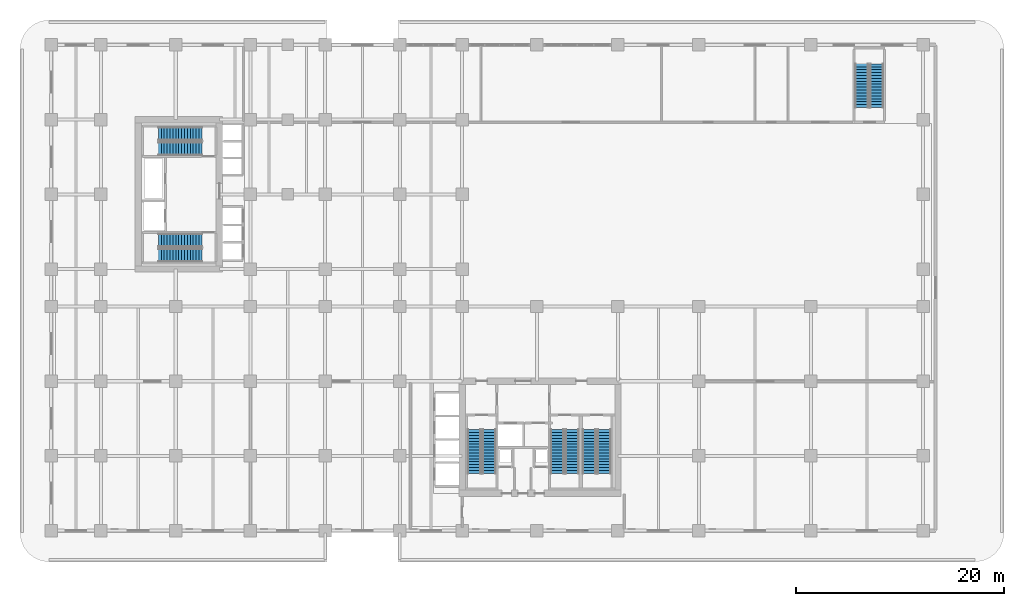
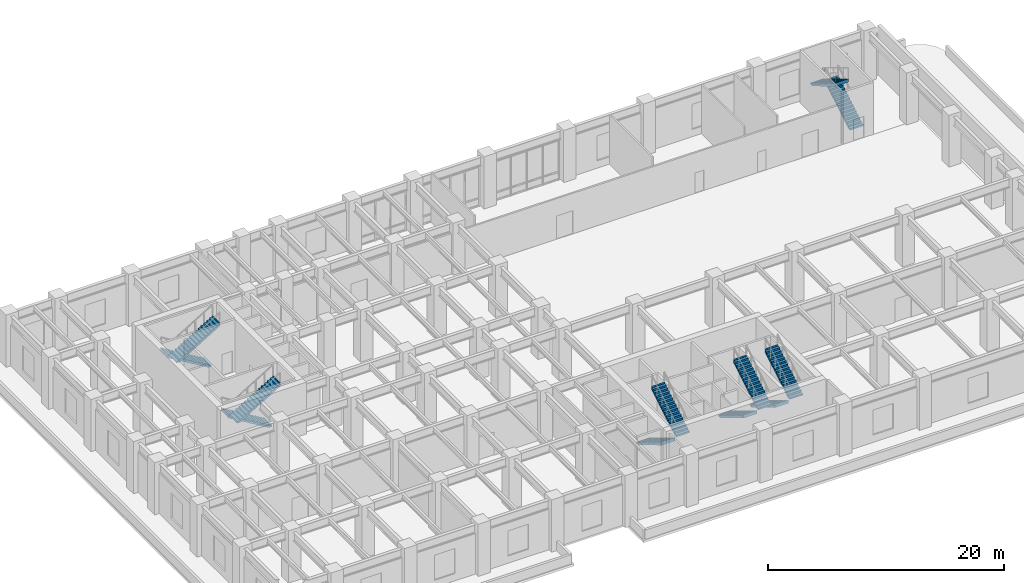
# One storey, part 15 of 20: 12 stair flights, 6 elements without a shape of their own.
"""IFC4 building model written with IfcOpenShell, lengths in metres."""

from ifc_helpers import new_model, si_unit, derived_unit, direction, frame, origin, place, context, subcontext, project, spatial, polyline, outline, extrude, source, transform, mapped, material, layer, layer_set, type_object, element, aggregate, save


model = new_model("IFC4")

# Units and contexts
model_context = context("Model", 3, precision=1e-05, world=origin(), true_north=direction((0.0, 1.0)))
body_context = subcontext(model_context, "Body", "Model", "MODEL_VIEW")
ifc_project = project(units=[si_unit("LENGTHUNIT", "METRE"), si_unit("AREAUNIT", "SQUARE_METRE"), si_unit("VOLUMEUNIT", "CUBIC_METRE"), si_unit("PLANEANGLEUNIT", "RADIAN"), si_unit("MASSUNIT", "GRAM", prefix="KILO"), si_unit("THERMODYNAMICTEMPERATUREUNIT", "KELVIN"), si_unit("POWERUNIT", "WATT"), derived_unit("THERMALTRANSMITTANCEUNIT", [(si_unit("POWERUNIT", "WATT"), 1), (si_unit("AREAUNIT", "SQUARE_METRE"), -1), (si_unit("THERMODYNAMICTEMPERATUREUNIT", "KELVIN"), -1)])], contexts=[model_context])

# Site, building, storey
site_placement = place(None, origin())
site = spatial("IfcSite", under=ifc_project, at=site_placement, CompositionType="ELEMENT")
building_placement = place(site_placement, origin())
building = spatial("IfcBuilding", under=site, at=building_placement, Name="Zahravan Archway Hotel and Residences", CompositionType="ELEMENT")
storey_placement = place(building_placement, frame((0.0, 0.0, 16.199951171875)))
storey = spatial("IfcBuildingStorey", under=building, at=storey_placement, Name="L03", CompositionType="ELEMENT", Elevation=16.199951171875)

# Stair, stair flights
ifc_material = material(Name="Concrete C50/60", Category="concrete")
stair_type = type_object("IfcStairType", Name="STR-CORE-1300", PredefinedType="HALF_TURN_STAIR", material=ifc_material)
stair_1_placement = place(storey_placement, origin())
stair_1 = element("IfcStair", 1, at=stair_1_placement, inside=storey, type_object=stair_type, Name="L03 Core A Exit Stair 1", PredefinedType="HALF_TURN_STAIR")
ifc_layer = layer(ifc_material, 0.199951171875, Name="Concrete C50/60", Category="concrete")
ifc_layer_set = layer_set([ifc_layer], Name="Concrete C50/60")
stair_flight_type = type_object("IfcStairFlightType", Name="SFL-CORE-1300", PredefinedType="STRAIGHT", material=ifc_layer_set)
shared_shape = source(origin(), body_context, "Body", "SweptSolid", [
    extrude(outline(polyline([(-0.01611328125, 0.0), (-0.01611328125, 0.168701171875), (0.280029296875, 0.168701171875), (0.280029296875, 0.33740234375), (0.56005859375, 0.33740234375), (0.56005859375, 0.50634765625), (0.840087890625, 0.50634765625), (0.840087890625, 0.675048828125), (1.1201171875, 0.675048828125), (1.1201171875, 0.84375), (1.39990234375, 0.84375), (1.39990234375, 1.012451171875), (1.679931640625, 1.012451171875), (1.679931640625, 1.18115234375), (1.9599609375, 1.18115234375), (1.9599609375, 1.35009765625), (2.239990234375, 1.35009765625), (2.239990234375, 1.518798828125), (2.52001953125, 1.518798828125), (2.52001953125, 1.6875), (2.800048828125, 1.6875), (2.800048828125, 1.856201171875), (3.080078125, 1.856201171875), (3.080078125, 2.02490234375), (3.360107421875, 2.02490234375), (3.360107421875, 2.19384765625), (3.639892578125, 2.19384765625), (3.639892578125, 2.362548828125), (3.919921875, 2.362548828125), (3.919921875, 2.53125), (4.199951171875, 2.53125), (4.199951171875, 2.699951171875), (4.216064453125, 2.699951171875), (4.216064453125, 2.356201171875), (0.29052734375, 0.0), (-0.01611328125, 0.0)])), frame((0.0, 0.64990234375, 0.0), z_axis=(0.0, -1.0, 0.0), x_axis=(1.0, 0.0, 0.0)), (0.0, 0.0, 1.0), 1.300048828125),
])
stair_flight_1_placement = place(storey_placement, frame((35.949951171875, 9.72998046875, 0.0), z_axis=(0.0, 0.0, 1.0), x_axis=(0.0, -1.0, 0.0)))
stair_flight_1 = element("IfcStairFlight", 2, at=stair_flight_1_placement, type_object=stair_flight_type, Name="ST-A1 flight 1", NumberOfRisers=16, NumberOfTreads=15, PredefinedType="STRAIGHT", RiserHeight=0.16875, TreadLength=0.28, context=body_context, shape_type="MappedRepresentation", body=[
    mapped(shared_shape, transform((0.0, 0.0, 0.0), scale=1.0)),
])
stair_flight_2_placement = place(storey_placement, frame((37.389892578125, 5.530029296875, 2.699951171875), z_axis=(0.0, 0.0, 1.0), x_axis=(0.0, 1.0, 0.0)))
stair_flight_2 = element("IfcStairFlight", 3, at=stair_flight_2_placement, type_object=stair_flight_type, Name="ST-A1 flight 2", NumberOfRisers=16, NumberOfTreads=15, PredefinedType="STRAIGHT", RiserHeight=0.16875, TreadLength=0.28, context=body_context, shape_type="MappedRepresentation", body=[
    mapped(shared_shape, transform((0.0, 0.0, 0.0), scale=1.0)),
])
aggregate(stair_1, [stair_flight_1, stair_flight_2])

stair_2_placement = place(storey_placement, origin())
stair_2 = element("IfcStair", 4, at=stair_2_placement, inside=storey, type_object=stair_type, Name="L03 Core A Exit Stair 2", PredefinedType="HALF_TURN_STAIR")
stair_flight_3_placement = place(storey_placement, frame((43.969970703125, 9.72998046875, 0.0), z_axis=(0.0, 0.0, 1.0), x_axis=(0.0, -1.0, 0.0)))
stair_flight_3 = element("IfcStairFlight", 5, at=stair_flight_3_placement, type_object=stair_flight_type, Name="ST-A2 flight 1", NumberOfRisers=16, NumberOfTreads=15, PredefinedType="STRAIGHT", RiserHeight=0.16875, TreadLength=0.28, context=body_context, shape_type="MappedRepresentation", body=[
    mapped(shared_shape, transform((0.0, 0.0, 0.0), scale=1.0)),
])
stair_flight_4_placement = place(storey_placement, frame((45.409912109375, 5.530029296875, 2.699951171875), z_axis=(0.0, 0.0, 1.0), x_axis=(0.0, 1.0, 0.0)))
stair_flight_4 = element("IfcStairFlight", 6, at=stair_flight_4_placement, type_object=stair_flight_type, Name="ST-A2 flight 2", NumberOfRisers=16, NumberOfTreads=15, PredefinedType="STRAIGHT", RiserHeight=0.16875, TreadLength=0.28, context=body_context, shape_type="MappedRepresentation", body=[
    mapped(shared_shape, transform((0.0, 0.0, 0.0), scale=1.0)),
])
aggregate(stair_2, [stair_flight_3, stair_flight_4])

stair_3_placement = place(storey_placement, origin())
stair_3 = element("IfcStair", 7, at=stair_3_placement, inside=storey, type_object=stair_type, Name="L03 Core A Exit Stair 3", PredefinedType="HALF_TURN_STAIR")
stair_flight_5_placement = place(storey_placement, frame((47.050048828125, 9.72998046875, 0.0), z_axis=(0.0, 0.0, 1.0), x_axis=(0.0, -1.0, 0.0)))
stair_flight_5 = element("IfcStairFlight", 8, at=stair_flight_5_placement, type_object=stair_flight_type, Name="ST-A3 flight 1", NumberOfRisers=16, NumberOfTreads=15, PredefinedType="STRAIGHT", RiserHeight=0.16875, TreadLength=0.28, context=body_context, shape_type="MappedRepresentation", body=[
    mapped(shared_shape, transform((0.0, 0.0, 0.0), scale=1.0)),
])
stair_flight_6_placement = place(storey_placement, frame((48.489990234375, 5.530029296875, 2.699951171875), z_axis=(0.0, 0.0, 1.0), x_axis=(0.0, 1.0, 0.0)))
stair_flight_6 = element("IfcStairFlight", 9, at=stair_flight_6_placement, type_object=stair_flight_type, Name="ST-A3 flight 2", NumberOfRisers=16, NumberOfTreads=15, PredefinedType="STRAIGHT", RiserHeight=0.16875, TreadLength=0.28, context=body_context, shape_type="MappedRepresentation", body=[
    mapped(shared_shape, transform((0.0, 0.0, 0.0), scale=1.0)),
])
aggregate(stair_3, [stair_flight_5, stair_flight_6])

stair_4_placement = place(storey_placement, origin())
stair_4 = element("IfcStair", 10, at=stair_4_placement, inside=storey, type_object=stair_type, Name="L03 Core B Exit Stair 1", PredefinedType="HALF_TURN_STAIR")
stair_flight_7_placement = place(storey_placement, frame((9.72998046875, 27.989990234375, 0.0), z_axis=(0.0, 0.0, 1.0), x_axis=(-1.0, 0.0, 0.0)))
stair_flight_7 = element("IfcStairFlight", 11, at=stair_flight_7_placement, type_object=stair_flight_type, Name="ST-B1 flight 1", NumberOfRisers=16, NumberOfTreads=15, PredefinedType="STRAIGHT", RiserHeight=0.16875, TreadLength=0.28, context=body_context, shape_type="MappedRepresentation", body=[
    mapped(shared_shape, transform((0.0, 0.0, 0.0), scale=1.0)),
])
stair_flight_8_placement = place(storey_placement, frame((5.530029296875, 26.550048828125, 2.699951171875), z_axis=(0.0, 0.0, 1.0), x_axis=(1.0, 0.0, 0.0)))
stair_flight_8 = element("IfcStairFlight", 12, at=stair_flight_8_placement, type_object=stair_flight_type, Name="ST-B1 flight 2", NumberOfRisers=16, NumberOfTreads=15, PredefinedType="STRAIGHT", RiserHeight=0.16875, TreadLength=0.28, context=body_context, shape_type="MappedRepresentation", body=[
    mapped(shared_shape, transform((0.0, 0.0, 0.0), scale=1.0)),
])
aggregate(stair_4, [stair_flight_7, stair_flight_8])

stair_5_placement = place(storey_placement, origin())
stair_5 = element("IfcStair", 13, at=stair_5_placement, inside=storey, type_object=stair_type, Name="L03 Core B Exit Stair 2", PredefinedType="HALF_TURN_STAIR")
stair_flight_9_placement = place(storey_placement, frame((9.72998046875, 38.25, 0.0), z_axis=(0.0, 0.0, 1.0), x_axis=(-1.0, 0.0, 0.0)))
stair_flight_9 = element("IfcStairFlight", 14, at=stair_flight_9_placement, type_object=stair_flight_type, Name="ST-B2 flight 1", NumberOfRisers=16, NumberOfTreads=15, PredefinedType="STRAIGHT", RiserHeight=0.16875, TreadLength=0.28, context=body_context, shape_type="MappedRepresentation", body=[
    mapped(shared_shape, transform((0.0, 0.0, 0.0), scale=1.0)),
])
stair_flight_10_placement = place(storey_placement, frame((5.530029296875, 36.81005859375, 2.699951171875), z_axis=(0.0, 0.0, 1.0), x_axis=(1.0, 0.0, 0.0)))
stair_flight_10 = element("IfcStairFlight", 15, at=stair_flight_10_placement, type_object=stair_flight_type, Name="ST-B2 flight 2", NumberOfRisers=16, NumberOfTreads=15, PredefinedType="STRAIGHT", RiserHeight=0.16875, TreadLength=0.28, context=body_context, shape_type="MappedRepresentation", body=[
    mapped(shared_shape, transform((0.0, 0.0, 0.0), scale=1.0)),
])
aggregate(stair_5, [stair_flight_9, stair_flight_10])

stair_6_placement = place(storey_placement, origin())
stair_6 = element("IfcStair", 16, at=stair_6_placement, inside=storey, type_object=stair_type, Name="L03 East Station Galleria Exit Stair", PredefinedType="HALF_TURN_STAIR")
stair_flight_11_placement = place(storey_placement, frame((74.75, 40.77001953125, 0.0), z_axis=(0.0, 0.0, 1.0), x_axis=(0.0, 1.0, 0.0)))
stair_flight_11 = element("IfcStairFlight", 17, at=stair_flight_11_placement, type_object=stair_flight_type, Name="ST-P1 flight 1", NumberOfRisers=16, NumberOfTreads=15, PredefinedType="STRAIGHT", RiserHeight=0.16875, TreadLength=0.28, context=body_context, shape_type="MappedRepresentation", body=[
    mapped(shared_shape, transform((0.0, 0.0, 0.0), scale=1.0)),
])
stair_flight_12_placement = place(storey_placement, frame((73.31005859375, 44.969970703125, 2.699951171875), z_axis=(0.0, 0.0, 1.0), x_axis=(0.0, -1.0, 0.0)))
stair_flight_12 = element("IfcStairFlight", 18, at=stair_flight_12_placement, type_object=stair_flight_type, Name="ST-P1 flight 2", NumberOfRisers=16, NumberOfTreads=15, PredefinedType="STRAIGHT", RiserHeight=0.16875, TreadLength=0.28, context=body_context, shape_type="MappedRepresentation", body=[
    mapped(shared_shape, transform((0.0, 0.0, 0.0), scale=1.0)),
])
aggregate(stair_6, [stair_flight_11, stair_flight_12])

save(model, "model.ifc")
